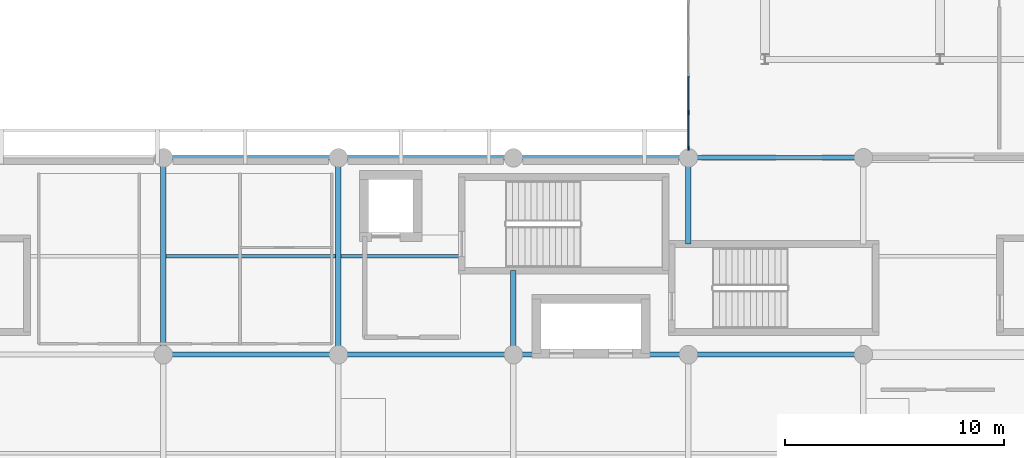
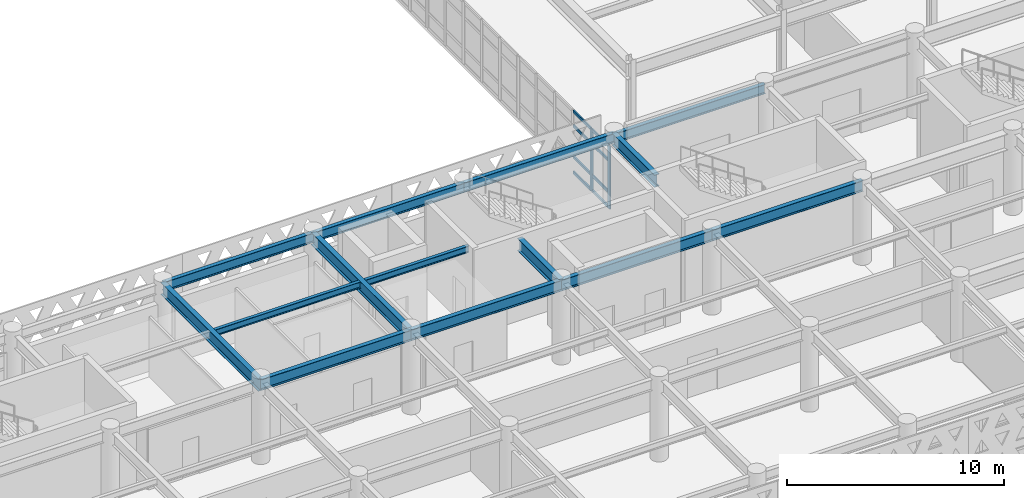
# One storey, part 16 of 54: 14 beams, 10 members, 1 element without a shape of its own.
"""IFC4 building model written with IfcOpenShell, lengths in metres."""

import ifcopenshell
import ifcopenshell.guid

model = None  # the IFC model being written
_history = None  # IfcOwnerHistory: only IFC2X3 demands one
_inside = {}  # id of a spatial element -> (the spatial element, [elements in it])
_under = {}  # id of a project, library or spatial element -> (it, [spatial elements below it])
_declared = {}  # id of a project -> (the project, [libraries it declares])
_typed = {}  # id of a type object -> (the type object, [elements of that type])
_made_of = {}  # id of a material, layer set ... -> (it, [elements and type objects made of it])


def new_model(schema):
    """Start an empty IFC model of exactly this schema.

    Asked for "IFC4X3", IfcOpenShell would pick the latest addendum, in which some entities
    have other attributes; the version numbers below select the first issue.
    IFC2X3 requires an IfcOwnerHistory on every rooted entity: one is made here for all.
    """
    global model, _history
    if schema == "IFC4X3":
        model = ifcopenshell.file(schema_version=(4, 3, 0, 0))
    else:
        model = ifcopenshell.file(schema=schema)
    _inside.clear()
    _under.clear()
    _declared.clear()
    _typed.clear()
    _made_of.clear()
    _history = None
    if model.schema == "IFC2X3":
        org = make("IfcOrganization", Name="unknown")
        user = make(
            "IfcPersonAndOrganization",
            ThePerson=make("IfcPerson", FamilyName="unknown"),
            TheOrganization=org,
        )
        app = make(
            "IfcApplication",
            ApplicationDeveloper=org,
            Version="unknown",
            ApplicationFullName="unknown",
            ApplicationIdentifier="unknown",
        )
        _history = make(
            "IfcOwnerHistory",
            OwningUser=user,
            OwningApplication=app,
            ChangeAction="ADDED",
            CreationDate=0,
        )
    return model


def make(cls, **values):
    """One entity of the class cls with the attributes given. An attribute that is None is left unset."""
    return model.create_entity(
        cls, **{name: value for name, value in values.items() if value is not None}
    )


def rooted(cls, **values):
    """An entity with a GlobalId (a new one), such as an element, a storey or a relation."""
    return make(cls, GlobalId=ifcopenshell.guid.new(), OwnerHistory=_history, **values)


def si_unit(unit_type, name, prefix=None):
    """IfcSIUnit, for example si_unit("LENGTHUNIT", "METRE", prefix="MILLI")."""
    return make("IfcSIUnit", UnitType=unit_type, Prefix=prefix, Name=name)


def assignment(units):
    """IfcUnitAssignment: the units of a project."""
    return None if units is None else make("IfcUnitAssignment", Units=units)


def point(xyz):
    """IfcCartesianPoint."""
    return None if xyz is None else make("IfcCartesianPoint", Coordinates=xyz)


def direction(xyz):
    """IfcDirection."""
    return None if xyz is None else make("IfcDirection", DirectionRatios=xyz)


def frame(location, z_axis=None, x_axis=None):
    """IfcAxis2Placement3D, a coordinate frame: its origin and axes. An axis left out is left unset."""
    return make(
        "IfcAxis2Placement3D",
        Location=point(location),
        Axis=direction(z_axis),
        RefDirection=direction(x_axis),
    )


def frame_2d(location, x_axis=None):
    """IfcAxis2Placement2D, a coordinate frame in the plane: its origin and x axis."""
    return make(
        "IfcAxis2Placement2D", Location=point(location), RefDirection=direction(x_axis)
    )


def origin():
    """The frame at (0, 0, 0) with its axes left unset."""
    return frame((0.0, 0.0, 0.0))


def origin_2d():
    """The frame at (0, 0) in the plane with its x axis left unset."""
    return frame_2d((0.0, 0.0))


def place(relative_to, where):
    """IfcLocalPlacement: puts the frame where relative to a parent placement (None: the world)."""
    return make(
        "IfcLocalPlacement", PlacementRelTo=relative_to, RelativePlacement=where
    )


def context(
    kind, dimensions, precision=None, world=None, true_north=None, identifier=None
):
    """IfcGeometricRepresentationContext, for example the 3D "Model" context."""
    return make(
        "IfcGeometricRepresentationContext",
        ContextIdentifier=identifier,
        ContextType=kind,
        CoordinateSpaceDimension=dimensions,
        Precision=precision,
        WorldCoordinateSystem=world,
        TrueNorth=true_north,
    )


def subcontext(parent, identifier, kind, view, scale=None):
    """IfcGeometricRepresentationSubContext, for example "Body" below "Model"."""
    return make(
        "IfcGeometricRepresentationSubContext",
        ContextIdentifier=identifier,
        ContextType=kind,
        ParentContext=parent,
        TargetScale=scale,
        TargetView=view,
    )


def project(units=None, contexts=None):
    """IfcProject with its units and contexts."""
    return rooted(
        "IfcProject",
        Name="project",
        RepresentationContexts=contexts,
        UnitsInContext=assignment(units),
    )


def spatial(cls, under=None, at=None, **own):
    """A site, building, storey or space (cls), placed at a placement, below another one or the project."""
    s = rooted(cls, ObjectPlacement=at, **own)
    if under is not None:
        _under.setdefault(under.id(), (under, []))[1].append(s)
    return s


def profile(cls, at=None, kind="AREA", **sizes):
    """A parametric profile (cls). Its sizes go by their IFC names, for example OverallWidth=200.0."""
    return make(cls, ProfileType=kind, Position=at, **sizes)


def rectangle(**sizes):
    """IfcRectangleProfileDef."""
    return profile("IfcRectangleProfileDef", **sizes)


def i_section(**sizes):
    """IfcIShapeProfileDef."""
    return profile("IfcIShapeProfileDef", **sizes)


def extrude(swept, where, along, depth):
    """IfcExtrudedAreaSolid: the profile swept, set in the frame where, extruded along a direction by depth."""
    return make(
        "IfcExtrudedAreaSolid",
        SweptArea=swept,
        Position=where,
        ExtrudedDirection=direction(along),
        Depth=depth,
    )


def shape(context_of_items, identifier, shape_type, items):
    """IfcShapeRepresentation: the items that make up one representation, for example the "Body"."""
    return make(
        "IfcShapeRepresentation",
        ContextOfItems=context_of_items,
        RepresentationIdentifier=identifier,
        RepresentationType=shape_type,
        Items=items,
    )


def material(Name=None, Category=None):
    """IfcMaterial."""
    return make("IfcMaterial", Name=Name, Category=Category)


def layer(
    of_material, thickness, ventilated=None, Name=None, Category=None, Priority=None
):
    """IfcMaterialLayer: one layer of a wall or slab, of a material (None: an air gap)."""
    return make(
        "IfcMaterialLayer",
        Material=of_material,
        LayerThickness=thickness,
        IsVentilated=ventilated,
        Name=Name,
        Category=Category,
        Priority=Priority,
    )


def layer_set(layers, Name=None):
    """IfcMaterialLayerSet."""
    return make("IfcMaterialLayerSet", MaterialLayers=layers, LayerSetName=Name)


def material_profile(
    of_material, cross_section, Name=None, Category=None, Priority=None
):
    """IfcMaterialProfile: a cross section and its material."""
    return make(
        "IfcMaterialProfile",
        Name=Name,
        Material=of_material,
        Profile=cross_section,
        Priority=Priority,
        Category=Category,
    )


def profile_set(profiles, Name=None, composite=None):
    """IfcMaterialProfileSet."""
    return make(
        "IfcMaterialProfileSet",
        Name=Name,
        MaterialProfiles=profiles,
        CompositeProfile=composite,
    )


def made_of(thing, what):
    """Note that an element or type object is made of a material, layer set ...; save() writes the relation."""
    if what is not None:
        _made_of.setdefault(what.id(), (what, []))[1].append(thing)
    return thing


def type_object(cls, material=None, **own):
    """A type object (cls), such as IfcWallType, which elements share."""
    return made_of(rooted(cls, **own), material)


def element(
    cls,
    number,
    at=None,
    inside=None,
    cuts=None,
    type_object=None,
    material=None,
    context=None,
    identifier="Body",
    shape_type=None,
    held_by="IfcProductDefinitionShape",
    body=None,
    shapes=None,
    **own,
):
    """One element of the class cls, such as IfcWall. Its Tag is "e" and its number.

    at: its placement. inside: the storey or other place that contains it. cuts: it is an
    opening in that element (IfcRelVoidsElement). A single representation is given by context,
    identifier, shape_type and body (its items); several are given by shapes. held_by: the class
    of the entity that holds the representations. save() writes the other relations.
    """
    e = rooted(cls, Tag="e%d" % number, ObjectPlacement=at, **own)
    if body is not None:
        shapes = [shape(context, identifier, shape_type, body)]
    if shapes is not None:
        e.Representation = make(held_by, Representations=shapes)
    if inside is not None:
        _inside.setdefault(inside.id(), (inside, []))[1].append(e)
    if cuts is not None:
        rooted(
            "IfcRelVoidsElement", RelatingBuildingElement=cuts, RelatedOpeningElement=e
        )
    if type_object is not None:
        _typed.setdefault(type_object.id(), (type_object, []))[1].append(e)
    return made_of(e, material)


def aggregate(whole, parts):
    """IfcRelAggregates: a whole, such as a stair, and the parts it consists of."""
    return rooted("IfcRelAggregates", RelatingObject=whole, RelatedObjects=parts)


def save(model, path):
    """Write the relations noted so far, then the file.

    IfcRelAggregates (storeys below a building ...), IfcRelContainedInSpatialStructure (elements
    in a storey), IfcRelDefinesByType, IfcRelAssociatesMaterial and IfcRelDeclares: one each for
    every whole, place, type object, material and project.
    """
    for whole, parts in _under.values():
        aggregate(whole, parts)
    for where, things in _inside.values():
        rooted(
            "IfcRelContainedInSpatialStructure",
            RelatedElements=things,
            RelatingStructure=where,
        )
    for kind, things in _typed.values():
        rooted("IfcRelDefinesByType", RelatedObjects=things, RelatingType=kind)
    for what, things in _made_of.values():
        rooted("IfcRelAssociatesMaterial", RelatedObjects=things, RelatingMaterial=what)
    for by, libraries in _declared.values():
        rooted("IfcRelDeclares", RelatingContext=by, RelatedDefinitions=libraries)
    model.write(path)


model = new_model("IFC4")

# Units and contexts
model_context = context("Model", 3, precision=1e-05, world=origin(), true_north=direction((0.0, 1.0)))
body_context = subcontext(model_context, "Body", "Model", "MODEL_VIEW")
ifc_project = project(units=[si_unit("LENGTHUNIT", "METRE"), si_unit("AREAUNIT", "SQUARE_METRE"), si_unit("VOLUMEUNIT", "CUBIC_METRE"), si_unit("PLANEANGLEUNIT", "RADIAN"), si_unit("MASSUNIT", "GRAM", prefix="KILO")], contexts=[model_context])

# Site, building, storey
site_placement = place(None, origin())
site = spatial("IfcSite", under=ifc_project, at=site_placement, CompositionType="ELEMENT")
building_placement = place(site_placement, origin())
building = spatial("IfcBuilding", under=site, at=building_placement, Name="Tlacozan Convention Centre", CompositionType="ELEMENT")
storey_placement = place(building_placement, frame((0.0, 0.0, 11.39990234375)))
storey = spatial("IfcBuildingStorey", under=building, at=storey_placement, Name="L02", CompositionType="ELEMENT", Elevation=11.39990234375)

# Curtain wall, members
ifc_material_1 = material(Name="Dark Bronze Anodised Aluminium", Category="aluminium")
ifc_layer = layer(ifc_material_1, 0.199951171875)
ifc_layer_set = layer_set([ifc_layer], Name="Dark Bronze Anodised Aluminium")
curtain_wall_type = type_object("IfcCurtainWallType", Name="Unitised Dining Cloister L02 CW09", PredefinedType="NOTDEFINED", material=ifc_layer_set)
curtain_wall_placement = place(storey_placement, origin())
curtain_wall = element("IfcCurtainWall", 1, at=curtain_wall_placement, inside=storey, type_object=curtain_wall_type, Name="L02 CW-09 Run 156", PredefinedType="NOTDEFINED")
ifc_material_profile_1 = material_profile(ifc_material_1, rectangle(XDim=0.074951171875, YDim=0.199951171875, at=origin_2d()), Name="ALU 75x200")
ifc_profile_set_1 = profile_set([ifc_material_profile_1], Name="Dark Bronze Anodised Aluminium")
member_type_1 = type_object("IfcMemberType", Name="Curtain Wall Heavy Mullion 75x200", PredefinedType="MULLION", material=ifc_profile_set_1)
member_1_placement = place(storey_placement, frame((88.0, 27.4375, 0.0), z_axis=(0.0, 0.0, 1.0), x_axis=(-1.0, 0.0, 0.0)))
member_1 = element("IfcMember", 2, at=member_1_placement, type_object=member_type_1, Name="CW-09 mullion 1", PredefinedType="MULLION", context=body_context, shape_type="SweptSolid", body=[
    extrude(rectangle(XDim=0.074951171875, YDim=0.199951171875, at=origin_2d()), origin(), (0.0, 0.0, 1.0), 3.5),
])
member_2_placement = place(storey_placement, frame((88.0, 29.080078125, 0.0), z_axis=(0.0, 0.0, 1.0), x_axis=(-1.0, 0.0, 0.0)))
member_2 = element("IfcMember", 3, at=member_2_placement, type_object=member_type_1, Name="CW-09 mullion 2", PredefinedType="MULLION", context=body_context, shape_type="SweptSolid", body=[
    extrude(rectangle(XDim=0.074951171875, YDim=0.199951171875, at=origin_2d()), origin(), (0.0, 0.0, 1.0), 3.5),
])
ifc_material_profile_2 = material_profile(ifc_material_1, rectangle(XDim=0.074951171875, YDim=0.14990234375, at=origin_2d()), Name="ALU 75x150")
ifc_profile_set_2 = profile_set([ifc_material_profile_2], Name="Dark Bronze Anodised Aluminium")
member_type_2 = type_object("IfcMemberType", Name="Curtain Wall Heavy Transom 75x150", PredefinedType="USERDEFINED", material=ifc_profile_set_2)
member_3_placement = place(storey_placement, frame((88.0, 27.47509765625, 0.03759765625), z_axis=(0.0, 1.0, 0.0), x_axis=(-1.0, 0.0, 0.0)))
member_3 = element("IfcMember", 4, at=member_3_placement, type_object=member_type_2, Name="CW-09 transom 1.1", ObjectType="TRANSOM", PredefinedType="USERDEFINED", context=body_context, shape_type="SweptSolid", body=[
    extrude(rectangle(XDim=0.074951171875, YDim=0.14990234375, at=origin_2d()), origin(), (0.0, 0.0, 1.0), 1.5673828125),
])
member_4_placement = place(storey_placement, frame((88.0, 27.47509765625, 0.900146484375), z_axis=(0.0, 1.0, 0.0), x_axis=(-1.0, 0.0, 0.0)))
member_4 = element("IfcMember", 5, at=member_4_placement, type_object=member_type_2, Name="CW-09 transom 1.2", ObjectType="TRANSOM", PredefinedType="USERDEFINED", context=body_context, shape_type="SweptSolid", body=[
    extrude(rectangle(XDim=0.074951171875, YDim=0.14990234375, at=origin_2d()), origin(), (0.0, 0.0, 1.0), 1.5673828125),
])
member_5_placement = place(storey_placement, frame((88.0, 27.47509765625, 2.650146484375), z_axis=(0.0, 1.0, 0.0), x_axis=(-1.0, 0.0, 0.0)))
member_5 = element("IfcMember", 6, at=member_5_placement, type_object=member_type_2, Name="CW-09 transom 1.3", ObjectType="TRANSOM", PredefinedType="USERDEFINED", context=body_context, shape_type="SweptSolid", body=[
    extrude(rectangle(XDim=0.074951171875, YDim=0.14990234375, at=origin_2d()), origin(), (0.0, 0.0, 1.0), 1.5673828125),
])
member_6_placement = place(storey_placement, frame((88.0, 27.47509765625, 3.462646484375), z_axis=(0.0, 1.0, 0.0), x_axis=(-1.0, 0.0, 0.0)))
member_6 = element("IfcMember", 7, at=member_6_placement, type_object=member_type_2, Name="CW-09 transom 1.4", ObjectType="TRANSOM", PredefinedType="USERDEFINED", context=body_context, shape_type="SweptSolid", body=[
    extrude(rectangle(XDim=0.074951171875, YDim=0.14990234375, at=origin_2d()), origin(), (0.0, 0.0, 1.0), 1.5673828125),
])
member_7_placement = place(storey_placement, frame((88.0, 29.117431640625, 0.03759765625), z_axis=(0.0, 1.0, 0.0), x_axis=(-1.0, 0.0, 0.0)))
member_7 = element("IfcMember", 8, at=member_7_placement, type_object=member_type_2, Name="CW-09 transom 2.1", ObjectType="TRANSOM", PredefinedType="USERDEFINED", context=body_context, shape_type="SweptSolid", body=[
    extrude(rectangle(XDim=0.074951171875, YDim=0.14990234375, at=origin_2d()), origin(), (0.0, 0.0, 1.0), 1.60498046875),
])
member_8_placement = place(storey_placement, frame((88.0, 29.117431640625, 0.900146484375), z_axis=(0.0, 1.0, 0.0), x_axis=(-1.0, 0.0, 0.0)))
member_8 = element("IfcMember", 9, at=member_8_placement, type_object=member_type_2, Name="CW-09 transom 2.2", ObjectType="TRANSOM", PredefinedType="USERDEFINED", context=body_context, shape_type="SweptSolid", body=[
    extrude(rectangle(XDim=0.074951171875, YDim=0.14990234375, at=origin_2d()), origin(), (0.0, 0.0, 1.0), 1.60498046875),
])
member_9_placement = place(storey_placement, frame((88.0, 29.117431640625, 2.650146484375), z_axis=(0.0, 1.0, 0.0), x_axis=(-1.0, 0.0, 0.0)))
member_9 = element("IfcMember", 10, at=member_9_placement, type_object=member_type_2, Name="CW-09 transom 2.3", ObjectType="TRANSOM", PredefinedType="USERDEFINED", context=body_context, shape_type="SweptSolid", body=[
    extrude(rectangle(XDim=0.074951171875, YDim=0.14990234375, at=origin_2d()), origin(), (0.0, 0.0, 1.0), 1.60498046875),
])
member_10_placement = place(storey_placement, frame((88.0, 29.117431640625, 3.462646484375), z_axis=(0.0, 1.0, 0.0), x_axis=(-1.0, 0.0, 0.0)))
member_10 = element("IfcMember", 11, at=member_10_placement, type_object=member_type_2, Name="CW-09 transom 2.4", ObjectType="TRANSOM", PredefinedType="USERDEFINED", context=body_context, shape_type="SweptSolid", body=[
    extrude(rectangle(XDim=0.074951171875, YDim=0.14990234375, at=origin_2d()), origin(), (0.0, 0.0, 1.0), 1.60498046875),
])
aggregate(curtain_wall, [member_1, member_2, member_3, member_4, member_5, member_6, member_7, member_8, member_9, member_10])

# Beams
ifc_material_2 = material(Name="Steel ASTM A992 Grade 50", Category="steel")
ifc_material_profile_3 = material_profile(ifc_material_2, i_section(OverallWidth=0.22900390625, OverallDepth=0.612060546875, WebThickness=0.011962890625, FlangeThickness=0.01953125, FilletRadius=0.012939453125, at=origin_2d()), Name="IR 610x125.0")
ifc_profile_set_3 = profile_set([ifc_material_profile_3], Name="Steel ASTM A992 Grade 50")
beam_type_1 = type_object("IfcBeamType", Name="Floor Beam IR 610x125", PredefinedType="BEAM", material=ifc_profile_set_3)
for number, where, z_axis, x_axis, name in (
    (12, (64.0, 18.0, 4.244140625), (1.0, 0.0, 0.0), (0.0, 1.0, 0.0), "L02 Floor Beam IR 610x125 486"),
    (13, (72.0, 18.0, 4.244140625), (1.0, 0.0, 0.0), (0.0, 1.0, 0.0), "L02 Floor Beam IR 610x125 490"),
    (14, (80.0, 18.0, 4.244140625), (1.0, 0.0, 0.0), (0.0, 1.0, 0.0), "L02 Floor Beam IR 610x125 494"),
    (15, (88.0, 18.0, 4.244140625), (1.0, 0.0, 0.0), (0.0, 1.0, 0.0), "L02 Floor Beam IR 610x125 498"),
):
    element("IfcBeam", number, at=place(storey_placement, frame(where, z_axis=z_axis, x_axis=x_axis)), inside=storey, type_object=beam_type_1, Name=name, PredefinedType="BEAM", context=body_context, shape_type="SweptSolid", body=[
        extrude(i_section(OverallWidth=0.22900390625, OverallDepth=0.612060546875, WebThickness=0.011962890625, FlangeThickness=0.01953125, FilletRadius=0.012939453125, at=origin_2d()), origin(), (0.0, 0.0, 1.0), 8.0),
    ])
ifc_material_profile_4 = material_profile(ifc_material_2, i_section(OverallWidth=0.256103515625, OverallDepth=0.693115234375, WebThickness=0.014404296875, FlangeThickness=0.023681640625, FilletRadius=0.014892578125, at=origin_2d()), Name="IR 686x170.0")
ifc_profile_set_4 = profile_set([ifc_material_profile_4], Name="Steel ASTM A992 Grade 50")
beam_type_2 = type_object("IfcBeamType", Name="Girder Steel IR 686x170", PredefinedType="BEAM", material=ifc_profile_set_4)
for number, where, z_axis, x_axis, name in (
    (16, (64.0, 18.0, 4.20361328125), (0.0, 1.0, 0.0), (-1.0, 0.0, 0.0), "L02 Girder Steel IR 686x170 423"),
    (17, (72.0, 18.0, 4.20361328125), (0.0, 1.0, 0.0), (-1.0, 0.0, 0.0), "L02 Girder Steel IR 686x170 426"),
):
    element("IfcBeam", number, at=place(storey_placement, frame(where, z_axis=z_axis, x_axis=x_axis)), inside=storey, type_object=beam_type_2, Name=name, PredefinedType="BEAM", context=body_context, shape_type="SweptSolid", body=[
        extrude(i_section(OverallWidth=0.256103515625, OverallDepth=0.693115234375, WebThickness=0.014404296875, FlangeThickness=0.023681640625, FilletRadius=0.014892578125, at=origin_2d()), origin(), (0.0, 0.0, 1.0), 9.0),
    ])
beam_1_placement = place(storey_placement, frame((80.0, 18.0, 4.20361328125), z_axis=(0.0, 1.0, 0.0), x_axis=(-1.0, 0.0, 0.0)))
element("IfcBeam", 18, at=beam_1_placement, inside=storey, type_object=beam_type_2, Name="L02 Girder Steel IR 686x170 429", PredefinedType="BEAM", context=body_context, shape_type="SweptSolid", body=[
    extrude(i_section(OverallWidth=0.256103515625, OverallDepth=0.693115234375, WebThickness=0.014404296875, FlangeThickness=0.023681640625, FilletRadius=0.014892578125, at=origin_2d()), origin(), (0.0, 0.0, 1.0), 3.840087890625),
])
beam_2_placement = place(storey_placement, frame((88.0, 23.06005859375, 4.20361328125), z_axis=(0.0, 1.0, 0.0), x_axis=(-1.0, 0.0, 0.0)))
element("IfcBeam", 19, at=beam_2_placement, inside=storey, type_object=beam_type_2, Name="L02 Girder Steel IR 686x170 432", PredefinedType="BEAM", context=body_context, shape_type="SweptSolid", body=[
    extrude(i_section(OverallWidth=0.256103515625, OverallDepth=0.693115234375, WebThickness=0.014404296875, FlangeThickness=0.023681640625, FilletRadius=0.014892578125, at=origin_2d()), origin(), (0.0, 0.0, 1.0), 3.93994140625),
])
ifc_material_profile_5 = material_profile(ifc_material_2, i_section(OverallWidth=0.2109375, OverallDepth=0.5390625, WebThickness=0.01171875, FlangeThickness=0.018798828125, FilletRadius=0.012939453125, at=origin_2d()), Name="IR 533x109.0")
ifc_profile_set_5 = profile_set([ifc_material_profile_5], Name="Steel ASTM A992 Grade 50")
beam_type_3 = type_object("IfcBeamType", Name="Perimeter Spandrel IR 533x109", PredefinedType="SPANDREL", material=ifc_profile_set_5)
for number, where, z_axis, x_axis, name in (
    (20, (64.0, 27.0, 4.280517578125), (1.0, 0.0, 0.0), (0.0, 1.0, 0.0), "L02 Perimeter Spandrel IR 533x109 487"),
    (21, (72.0, 27.0, 4.280517578125), (1.0, 0.0, 0.0), (0.0, 1.0, 0.0), "L02 Perimeter Spandrel IR 533x109 491"),
    (22, (80.0, 27.0, 4.280517578125), (1.0, 0.0, 0.0), (0.0, 1.0, 0.0), "L02 Perimeter Spandrel IR 533x109 495"),
    (23, (88.0, 27.0, 4.230712890625), (1.0, 0.0, 0.0), (0.0, 1.0, 0.0), "L02 Perimeter Spandrel IR 533x109 499"),
):
    element("IfcBeam", number, at=place(storey_placement, frame(where, z_axis=z_axis, x_axis=x_axis)), inside=storey, type_object=beam_type_3, Name=name, PredefinedType="SPANDREL", context=body_context, shape_type="SweptSolid", body=[
        extrude(i_section(OverallWidth=0.2109375, OverallDepth=0.5390625, WebThickness=0.01171875, FlangeThickness=0.018798828125, FilletRadius=0.012939453125, at=origin_2d()), origin(), (0.0, 0.0, 1.0), 8.0),
    ])
ifc_material_profile_6 = material_profile(ifc_material_2, i_section(OverallWidth=0.173095703125, OverallDepth=0.364013671875, WebThickness=0.009033203125, FlangeThickness=0.015625, FilletRadius=0.010009765625, at=origin_2d()), Name="IR 356x67.1")
ifc_profile_set_6 = profile_set([ifc_material_profile_6], Name="Steel ASTM A992 Grade 50")
beam_type_4 = type_object("IfcBeamType", Name="Secondary Joist IR 356x67.1", PredefinedType="JOIST", material=ifc_profile_set_6)
beam_3_placement = place(storey_placement, frame((64.1259765625, 22.5, 4.3681640625), z_axis=(1.0, 0.0, 0.0), x_axis=(0.0, 1.0, 0.0)))
element("IfcBeam", 24, at=beam_3_placement, inside=storey, type_object=beam_type_4, Name="L02 Secondary Joist IR 356x67.1 521", PredefinedType="JOIST", context=body_context, shape_type="SweptSolid", body=[
    extrude(i_section(OverallWidth=0.173095703125, OverallDepth=0.364013671875, WebThickness=0.009033203125, FlangeThickness=0.015625, FilletRadius=0.010009765625, at=origin_2d()), origin(), (0.0, 0.0, 1.0), 7.748046875),
])
beam_4_placement = place(storey_placement, frame((72.1259765625, 22.5, 4.3681640625), z_axis=(1.0, 0.0, 0.0), x_axis=(0.0, 1.0, 0.0)))
element("IfcBeam", 25, at=beam_4_placement, inside=storey, type_object=beam_type_4, Name="L02 Secondary Joist IR 356x67.1 524", PredefinedType="JOIST", context=body_context, shape_type="SweptSolid", body=[
    extrude(i_section(OverallWidth=0.173095703125, OverallDepth=0.364013671875, WebThickness=0.009033203125, FlangeThickness=0.015625, FilletRadius=0.010009765625, at=origin_2d()), origin(), (0.0, 0.0, 1.0), 5.513916015625),
])

save(model, "model.ifc")
